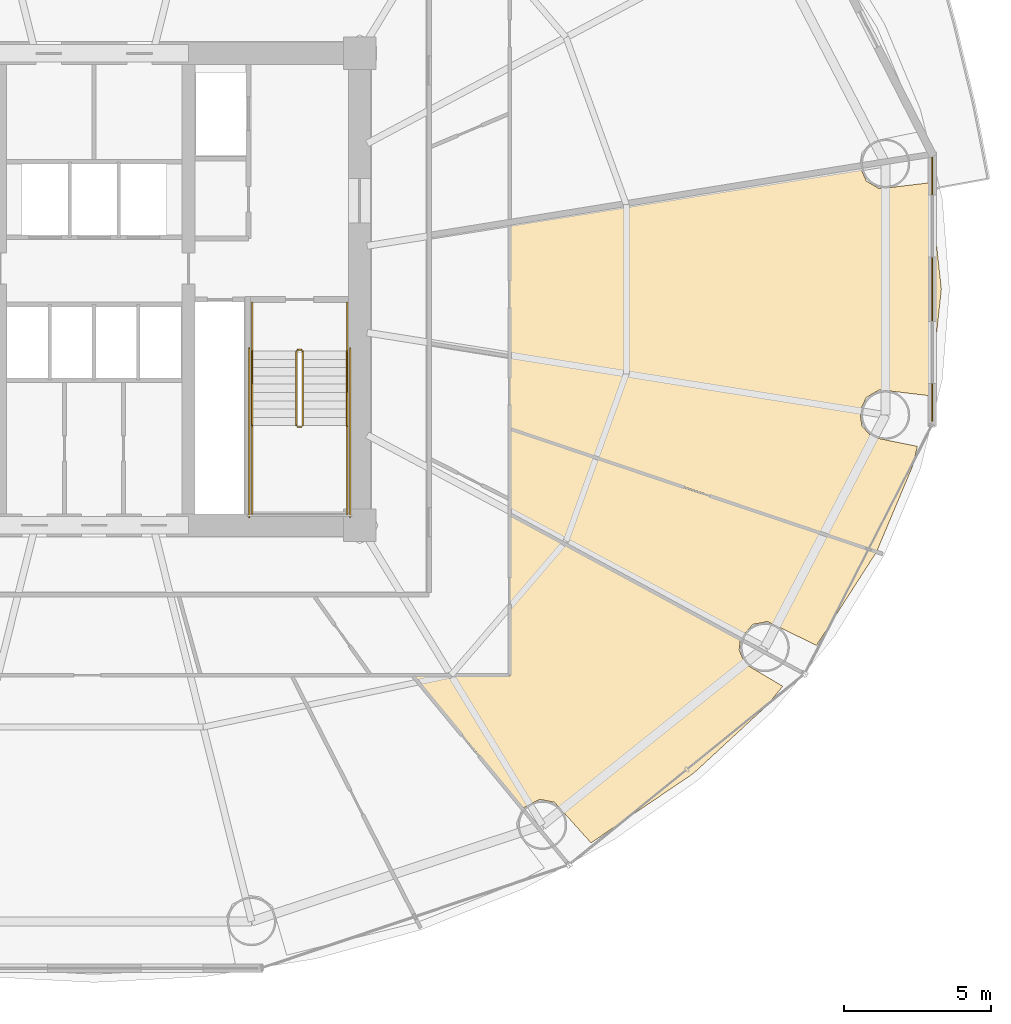
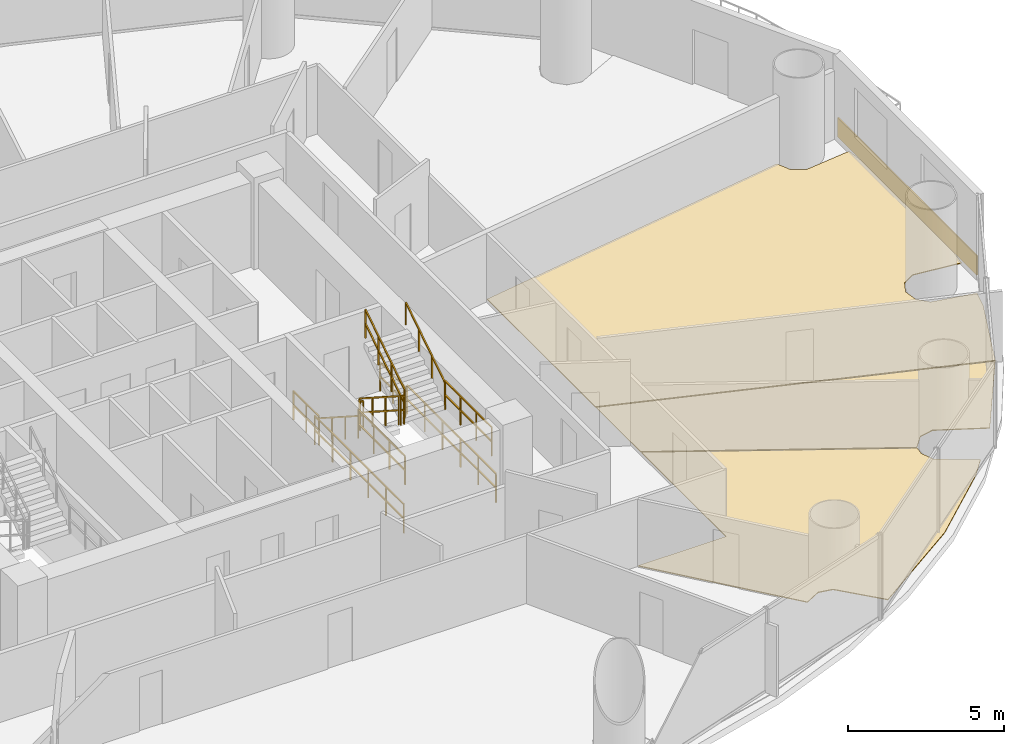
# One storey, part 27 of 28: 12 railings, 4 coverings.
"""IFC4 building model written with IfcOpenShell, lengths in metres."""

from ifc_helpers import new_model, si_unit, direction, frame, origin, origin_2d, place, context, subcontext, project, spatial, polyline, rectangle, outline, extrude, source, transform, mapped, material, layer, layer_set, type_object, element, save


model = new_model("IFC4")

# Units and contexts
model_context = context("Model", 3, precision=1e-05, world=origin(), true_north=direction((-0.2419218956, 0.970295726276)))
body_context = subcontext(model_context, "Body", "Model", "MODEL_VIEW")
ifc_project = project(units=[si_unit("LENGTHUNIT", "METRE"), si_unit("AREAUNIT", "SQUARE_METRE"), si_unit("VOLUMEUNIT", "CUBIC_METRE"), si_unit("PLANEANGLEUNIT", "RADIAN"), si_unit("MASSUNIT", "GRAM", prefix="KILO")], contexts=[model_context])

# Site, building, storey
site_placement = place(None, origin())
site = spatial("IfcSite", under=ifc_project, at=site_placement, CompositionType="ELEMENT")
building_placement = place(site_placement, origin())
building = spatial("IfcBuilding", under=site, at=building_placement, Name="Cobrevalo Terracotta Tower", CompositionType="ELEMENT")
storey_placement = place(building_placement, frame((0.0, 0.0, 38.39990234375)))
storey = spatial("IfcBuildingStorey", under=building, at=storey_placement, Name="L09", CompositionType="ELEMENT", Elevation=38.39990234375)

# Coverings
ifc_material_1 = material(Name="Engineered Brazilian hardwood flooring", Category="wood")
ifc_layer_1 = layer(ifc_material_1, 0.028076171875)
ifc_layer_set_1 = layer_set([ifc_layer_1], Name="Engineered Brazilian hardwood flooring")
covering_type_1 = type_object("IfcCoveringType", Name="Engineered Hardwood Suite Flooring 28", PredefinedType="FLOORING", material=ifc_layer_set_1)
covering_1_placement = place(storey_placement, origin())
element("IfcCovering", 1, at=covering_1_placement, inside=storey, type_object=covering_type_1, Name="Flat L09C Penthouse Family Lounge floor finish", PredefinedType="FLOORING", context=body_context, shape_type="SweptSolid", body=[
    extrude(outline(polyline([(58.3095703125, 10.38232421875), (54.843505859375, 8.03271484375), (53.6025390625, 9.412353515625), (53.100341796875, 9.50732421875), (52.531982421875, 9.20751953125), (48.831787109375, 13.695068359375), (52.10498046875, 13.695068359375), (52.10498046875, 19.14013671875), (59.90234375, 14.91796875), (59.864990234375, 14.573974609375), (60.060791015625, 14.10205078125), (61.34423828125, 13.341064453125), (60.786376953125, 12.666259765625), (58.3095703125, 10.38232421875)])), origin(), (0.0, 0.0, 1.0), 0.030029296875),
])
covering_2_placement = place(storey_placement, origin())
element("IfcCovering", 2, at=covering_2_placement, inside=storey, type_object=covering_type_1, Name="Flat L09C Principal Guest Bedroom floor finish", PredefinedType="FLOORING", context=body_context, shape_type="SweptSolid", body=[
    extrude(outline(polyline([(62.488037109375, 14.7255859375), (60.826416015625, 15.53662109375), (60.325439453125, 15.436767578125), (59.915283203125, 14.95654296875), (52.10498046875, 19.185546875), (52.10498046875, 22.04443359375), (64.5126953125, 17.8798828125), (62.488037109375, 14.7255859375)])), origin(), (0.0, 0.0, 1.0), 0.030029296875),
])
covering_3_placement = place(storey_placement, origin())
element("IfcCovering", 3, at=covering_3_placement, inside=storey, type_object=covering_type_1, Name="Flat L09C Penthouse Family Lounge floor finish", PredefinedType="FLOORING", context=body_context, shape_type="SweptSolid", body=[
    extrude(outline(polyline([(52.10498046875, 22.086669921875), (52.10498046875, 29.05322265625), (63.952880859375, 30.963134765625), (64.178466796875, 30.465087890625), (64.619384765625, 30.206787109375), (66.331298828125, 30.4111328125), (66.719970703125, 26.800048828125), (66.331298828125, 23.18896484375), (64.619384765625, 23.39306640625), (64.178466796875, 23.135009765625), (63.955322265625, 22.67529296875), (64.025146484375, 22.169189453125), (64.3642578125, 21.787109375), (65.909423828125, 21.473876953125), (65.74169921875, 20.791259765625), (64.531494140625, 17.91552734375), (52.10498046875, 22.086669921875)])), origin(), (0.0, 0.0, 1.0), 0.030029296875),
])

# Railings
ifc_material_2 = material(Name="Brushed stainless steel", Category="steel")
railing_type_1 = type_object("IfcRailingType", Name="Stainless Steel Stair Handrail 900", PredefinedType="HANDRAIL", material=ifc_material_2)
railing_1_placement = place(storey_placement, frame((43.35498046875, 24.699951171875, 0.18017578125)))
element("IfcRailing", 4, at=railing_1_placement, inside=storey, type_object=railing_type_1, Name="L09 ST-2 stair handrail 1", PredefinedType="HANDRAIL", context=body_context, shape_type="SweptSolid", body=[
    extrude(rectangle(XDim=0.048095703125, YDim=0.048095703125, at=origin_2d()), frame((0.0, 0.0, 0.8759765625), z_axis=(0.0, -0.841199657755, 0.540724639528), x_axis=(1.0, 0.0, 0.0)), (0.0, 0.0, 1.0), 2.995849609375),
    extrude(rectangle(XDim=0.0419921875, YDim=0.0419921875, at=origin_2d()), origin(), (0.0, 0.0, 1.0), 0.851806640625),
    extrude(rectangle(XDim=0.0419921875, YDim=0.0419921875, at=origin_2d()), frame((0.0, -0.840087890625, 0.5400390625)), (0.0, 0.0, 1.0), 0.851806640625),
    extrude(rectangle(XDim=0.0419921875, YDim=0.0419921875, at=origin_2d()), frame((0.0, -1.679931640625, 1.079833984375)), (0.0, 0.0, 1.0), 0.851806640625),
    extrude(rectangle(XDim=0.0419921875, YDim=0.0419921875, at=origin_2d()), frame((0.0, -2.52001953125, 1.619873046875)), (0.0, 0.0, 1.0), 0.851806640625),
])
railing_2_placement = place(storey_placement, frame((46.574951171875, 22.179931640625, 1.97998046875)))
element("IfcRailing", 5, at=railing_2_placement, inside=storey, type_object=railing_type_1, Name="L09 ST-2 stair handrail 2", PredefinedType="HANDRAIL", context=body_context, shape_type="SweptSolid", body=[
    extrude(rectangle(XDim=0.048095703125, YDim=0.048095703125, at=origin_2d()), frame((0.0, 0.0, 0.8759765625), z_axis=(0.0, 0.841162588446, 0.540782303519), x_axis=(-1.0, 0.0, 0.0)), (0.0, 0.0, 1.0), 2.995849609375),
    extrude(rectangle(XDim=0.0419921875, YDim=0.0419921875, at=origin_2d()), origin(), (0.0, 0.0, 1.0), 0.851806640625),
    extrude(rectangle(XDim=0.0419921875, YDim=0.0419921875, at=origin_2d()), frame((0.0, 0.840087890625, 0.5400390625)), (0.0, 0.0, 1.0), 0.851806640625),
    extrude(rectangle(XDim=0.0419921875, YDim=0.0419921875, at=origin_2d()), frame((0.0, 1.679931640625, 1.080078125)), (0.0, 0.0, 1.0), 0.851806640625),
    extrude(rectangle(XDim=0.0419921875, YDim=0.0419921875, at=origin_2d()), frame((0.0, 2.52001953125, 1.6201171875)), (0.0, 0.0, 1.0), 0.851806640625),
])
ifc_material_3 = material(Name="Painted galvanized steel", Category="steel")
railing_type_2 = type_object("IfcRailingType", Name="Stair Well Guard Balustrade 1150", PredefinedType="GUARDRAIL", material=ifc_material_3)
railing_3_placement = place(storey_placement, frame((44.85498046875, 24.699951171875, 0.18017578125)))
element("IfcRailing", 6, at=railing_3_placement, inside=storey, type_object=railing_type_2, Name="L09 ST-2 stair guard 1", PredefinedType="GUARDRAIL", context=body_context, shape_type="SweptSolid", body=[
    extrude(rectangle(XDim=0.048095703125, YDim=0.048095703125, at=origin_2d()), frame((0.0, 0.0, 1.1259765625), z_axis=(0.0, -0.841199657755, 0.540724639528), x_axis=(1.0, 0.0, 0.0)), (0.0, 0.0, 1.0), 2.995849609375),
    extrude(rectangle(XDim=0.048095703125, YDim=0.048095703125, at=origin_2d()), frame((0.0, 0.0, 0.574951171875), z_axis=(0.0, -0.841199657755, 0.540724639528), x_axis=(1.0, 0.0, 0.0)), (0.0, 0.0, 1.0), 2.995849609375),
    extrude(rectangle(XDim=0.0419921875, YDim=0.0419921875, at=origin_2d()), origin(), (0.0, 0.0, 1.0), 1.101806640625),
    extrude(rectangle(XDim=0.0419921875, YDim=0.0419921875, at=origin_2d()), frame((0.0, -0.840087890625, 0.5400390625)), (0.0, 0.0, 1.0), 1.101806640625),
    extrude(rectangle(XDim=0.0419921875, YDim=0.0419921875, at=origin_2d()), frame((0.0, -1.679931640625, 1.079833984375)), (0.0, 0.0, 1.0), 1.101806640625),
    extrude(rectangle(XDim=0.0419921875, YDim=0.0419921875, at=origin_2d()), frame((0.0, -2.52001953125, 1.619873046875)), (0.0, 0.0, 1.0), 1.101806640625),
])
railing_4_placement = place(storey_placement, frame((44.905029296875, 22.1298828125, 1.800048828125)))
element("IfcRailing", 7, at=railing_4_placement, inside=storey, type_object=railing_type_2, Name="L09 ST-2 stair guard 2", PredefinedType="GUARDRAIL", context=body_context, shape_type="SweptSolid", body=[
    extrude(rectangle(XDim=0.048095703125, YDim=0.048095703125, at=origin_2d()), frame((0.0, 0.0, 1.1259765625), z_axis=(1.0, 0.0, 0.0), x_axis=(0.0, 1.0, 0.0)), (0.0, 0.0, 1.0), 0.119873046875),
    extrude(rectangle(XDim=0.048095703125, YDim=0.048095703125, at=origin_2d()), frame((0.0, 0.0, 0.574951171875), z_axis=(1.0, 0.0, 0.0), x_axis=(0.0, 1.0, 0.0)), (0.0, 0.0, 1.0), 0.119873046875),
    extrude(rectangle(XDim=0.0419921875, YDim=0.0419921875, at=origin_2d()), origin(), (0.0, 0.0, 1.0), 1.101806640625),
    extrude(rectangle(XDim=0.0419921875, YDim=0.0419921875, at=origin_2d()), frame((0.119873046875, 0.0, 0.0)), (0.0, 0.0, 1.0), 1.101806640625),
])
for number, where, name in (
    (8, (43.35498046875, 22.179931640625, 1.800048828125), "L09 ST-2 stair guard 3"),
    (9, (46.574951171875, 22.179931640625, 1.800048828125), "L09 ST-2 stair guard 4"),
):
    element("IfcRailing", number, at=place(storey_placement, frame(where)), inside=storey, type_object=railing_type_2, Name=name, PredefinedType="GUARDRAIL", context=body_context, shape_type="SweptSolid", body=[
        extrude(rectangle(XDim=0.048095703125, YDim=0.048095703125, at=origin_2d()), frame((0.0, 0.0, 1.1259765625), z_axis=(0.0, -1.0, 0.0), x_axis=(1.0, 0.0, 0.0)), (0.0, 0.0, 1.0), 3.0048828125),
        extrude(rectangle(XDim=0.048095703125, YDim=0.048095703125, at=origin_2d()), frame((0.0, 0.0, 0.574951171875), z_axis=(0.0, -1.0, 0.0), x_axis=(1.0, 0.0, 0.0)), (0.0, 0.0, 1.0), 3.0048828125),
        extrude(rectangle(XDim=0.0419921875, YDim=0.0419921875, at=origin_2d()), origin(), (0.0, 0.0, 1.0), 1.101806640625),
        extrude(rectangle(XDim=0.0419921875, YDim=0.0419921875, at=origin_2d()), frame((0.0, -1.001708984375, 0.0)), (0.0, 0.0, 1.0), 1.101806640625),
        extrude(rectangle(XDim=0.0419921875, YDim=0.0419921875, at=origin_2d()), frame((0.0, -2.003173828125, 0.0)), (0.0, 0.0, 1.0), 1.101806640625),
        extrude(rectangle(XDim=0.0419921875, YDim=0.0419921875, at=origin_2d()), frame((0.0, -3.0048828125, 0.0)), (0.0, 0.0, 1.0), 1.101806640625),
    ])
railing_5_placement = place(storey_placement, frame((45.074951171875, 22.179931640625, 1.97998046875)))
element("IfcRailing", 10, at=railing_5_placement, inside=storey, type_object=railing_type_2, Name="L09 ST-2 stair guard 6", PredefinedType="GUARDRAIL", context=body_context, shape_type="SweptSolid", body=[
    extrude(rectangle(XDim=0.048095703125, YDim=0.048095703125, at=origin_2d()), frame((0.0, 0.0, 1.1259765625), z_axis=(0.0, 0.841162588446, 0.540782303519), x_axis=(-1.0, 0.0, 0.0)), (0.0, 0.0, 1.0), 2.995849609375),
    extrude(rectangle(XDim=0.048095703125, YDim=0.048095703125, at=origin_2d()), frame((0.0, 0.0, 0.574951171875), z_axis=(0.0, 0.841162588446, 0.540782303519), x_axis=(-1.0, 0.0, 0.0)), (0.0, 0.0, 1.0), 2.995849609375),
    extrude(rectangle(XDim=0.0419921875, YDim=0.0419921875, at=origin_2d()), origin(), (0.0, 0.0, 1.0), 1.101806640625),
    extrude(rectangle(XDim=0.0419921875, YDim=0.0419921875, at=origin_2d()), frame((0.0, 0.840087890625, 0.5400390625)), (0.0, 0.0, 1.0), 1.101806640625),
    extrude(rectangle(XDim=0.0419921875, YDim=0.0419921875, at=origin_2d()), frame((0.0, 1.679931640625, 1.080078125)), (0.0, 0.0, 1.0), 1.101806640625),
    extrude(rectangle(XDim=0.0419921875, YDim=0.0419921875, at=origin_2d()), frame((0.0, 2.52001953125, 1.6201171875)), (0.0, 0.0, 1.0), 1.101806640625),
])
railing_6_placement = place(storey_placement, frame((44.905029296875, 24.75, 0.0)))
element("IfcRailing", 11, at=railing_6_placement, inside=storey, type_object=railing_type_2, Name="L09 ST-2 stair guard 7", PredefinedType="GUARDRAIL", context=body_context, shape_type="SweptSolid", body=[
    extrude(rectangle(XDim=0.048095703125, YDim=0.048095703125, at=origin_2d()), frame((0.0, 0.0, 1.1259765625), z_axis=(1.0, 0.0, 0.0), x_axis=(0.0, 1.0, 0.0)), (0.0, 0.0, 1.0), 0.119873046875),
    extrude(rectangle(XDim=0.048095703125, YDim=0.048095703125, at=origin_2d()), frame((0.0, 0.0, 0.574951171875), z_axis=(1.0, 0.0, 0.0), x_axis=(0.0, 1.0, 0.0)), (0.0, 0.0, 1.0), 0.119873046875),
    extrude(rectangle(XDim=0.0419921875, YDim=0.0419921875, at=origin_2d()), origin(), (0.0, 0.0, 1.0), 1.101806640625),
    extrude(rectangle(XDim=0.0419921875, YDim=0.0419921875, at=origin_2d()), frame((0.119873046875, 0.0, 0.0)), (0.0, 0.0, 1.0), 1.101806640625),
])
for number, where, name in (
    (12, (43.35498046875, 26.35009765625, 0.0), "L09 ST-2 stair guard 8"),
    (13, (46.574951171875, 26.35009765625, 0.0), "L09 ST-2 stair guard 9"),
):
    element("IfcRailing", number, at=place(storey_placement, frame(where)), inside=storey, type_object=railing_type_2, Name=name, PredefinedType="GUARDRAIL", context=body_context, shape_type="SweptSolid", body=[
        extrude(rectangle(XDim=0.048095703125, YDim=0.048095703125, at=origin_2d()), frame((0.0, 0.0, 1.1259765625), z_axis=(0.0, -1.0, 0.0), x_axis=(1.0, 0.0, 0.0)), (0.0, 0.0, 1.0), 1.650146484375),
        extrude(rectangle(XDim=0.048095703125, YDim=0.048095703125, at=origin_2d()), frame((0.0, 0.0, 0.574951171875), z_axis=(0.0, -1.0, 0.0), x_axis=(1.0, 0.0, 0.0)), (0.0, 0.0, 1.0), 1.650146484375),
        extrude(rectangle(XDim=0.0419921875, YDim=0.0419921875, at=origin_2d()), origin(), (0.0, 0.0, 1.0), 1.101806640625),
        extrude(rectangle(XDim=0.0419921875, YDim=0.0419921875, at=origin_2d()), frame((0.0, -0.8251953125, 0.0)), (0.0, 0.0, 1.0), 1.101806640625),
        extrude(rectangle(XDim=0.0419921875, YDim=0.0419921875, at=origin_2d()), frame((0.0, -1.650146484375, 0.0)), (0.0, 0.0, 1.0), 1.101806640625),
    ])
for number, where, name in (
    (14, (43.2548828125, 24.800048828125, 0.0), "L09 ST-2 stair guard 10"),
    (15, (46.675048828125, 24.800048828125, 0.0), "L09 ST-2 stair guard 11"),
):
    element("IfcRailing", number, at=place(storey_placement, frame(where)), inside=storey, type_object=railing_type_2, Name=name, PredefinedType="GUARDRAIL", context=body_context, shape_type="SweptSolid", body=[
        extrude(rectangle(XDim=0.048095703125, YDim=0.048095703125, at=origin_2d()), frame((0.0, 0.0, 1.1259765625), z_axis=(0.0, -1.0, 0.0), x_axis=(1.0, 0.0, 0.0)), (0.0, 0.0, 1.0), 5.72509765625),
        extrude(rectangle(XDim=0.048095703125, YDim=0.048095703125, at=origin_2d()), frame((0.0, 0.0, 0.574951171875), z_axis=(0.0, -1.0, 0.0), x_axis=(1.0, 0.0, 0.0)), (0.0, 0.0, 1.0), 5.72509765625),
        extrude(rectangle(XDim=0.0419921875, YDim=0.0419921875, at=origin_2d()), origin(), (0.0, 0.0, 1.0), 1.101806640625),
        extrude(rectangle(XDim=0.0419921875, YDim=0.0419921875, at=origin_2d()), frame((0.0, -1.14501953125, 0.0)), (0.0, 0.0, 1.0), 1.101806640625),
        extrude(rectangle(XDim=0.0419921875, YDim=0.0419921875, at=origin_2d()), frame((0.0, -2.2900390625, 0.0)), (0.0, 0.0, 1.0), 1.101806640625),
        extrude(rectangle(XDim=0.0419921875, YDim=0.0419921875, at=origin_2d()), frame((0.0, -3.43505859375, 0.0)), (0.0, 0.0, 1.0), 1.101806640625),
        extrude(rectangle(XDim=0.0419921875, YDim=0.0419921875, at=origin_2d()), frame((0.0, -4.580078125, 0.0)), (0.0, 0.0, 1.0), 1.101806640625),
        extrude(rectangle(XDim=0.0419921875, YDim=0.0419921875, at=origin_2d()), frame((0.0, -5.72509765625, 0.0)), (0.0, 0.0, 1.0), 1.101806640625),
    ])

# Covering
ifc_material_4 = material(Name="Glazed terracotta facade cladding tile", Category="masonry")
ifc_layer_2 = layer(ifc_material_4, 0.044921875)
ifc_layer_set_2 = layer_set([ifc_layer_2], Name="Glazed terracotta facade cladding tile")
covering_type_2 = type_object("IfcCoveringType", Name="Architectural terracotta rainscreen spandrel cladding 45 mm", PredefinedType="CLADDING", material=ifc_layer_set_2)
shared_shape = source(origin(), body_context, "Body", "SweptSolid", [
    extrude(rectangle(XDim=8.95751953125, YDim=0.044921875, at=origin_2d()), origin(), (0.0, 0.0, 1.0), 0.760009765625),
])
covering_4_placement = place(storey_placement, frame((66.413330078125, 26.800048828125, 0.0400390625), z_axis=(0.0, 0.0, 1.0), x_axis=(0.0, 1.0, 0.0)))
element("IfcCovering", 16, at=covering_4_placement, inside=storey, type_object=covering_type_2, Name="L09 terracotta spandrel cladding S16", PredefinedType="CLADDING", context=body_context, shape_type="MappedRepresentation", body=[
    mapped(shared_shape, transform((0.0, 0.0, 0.0), scale=1.0)),
])

save(model, "model.ifc")
